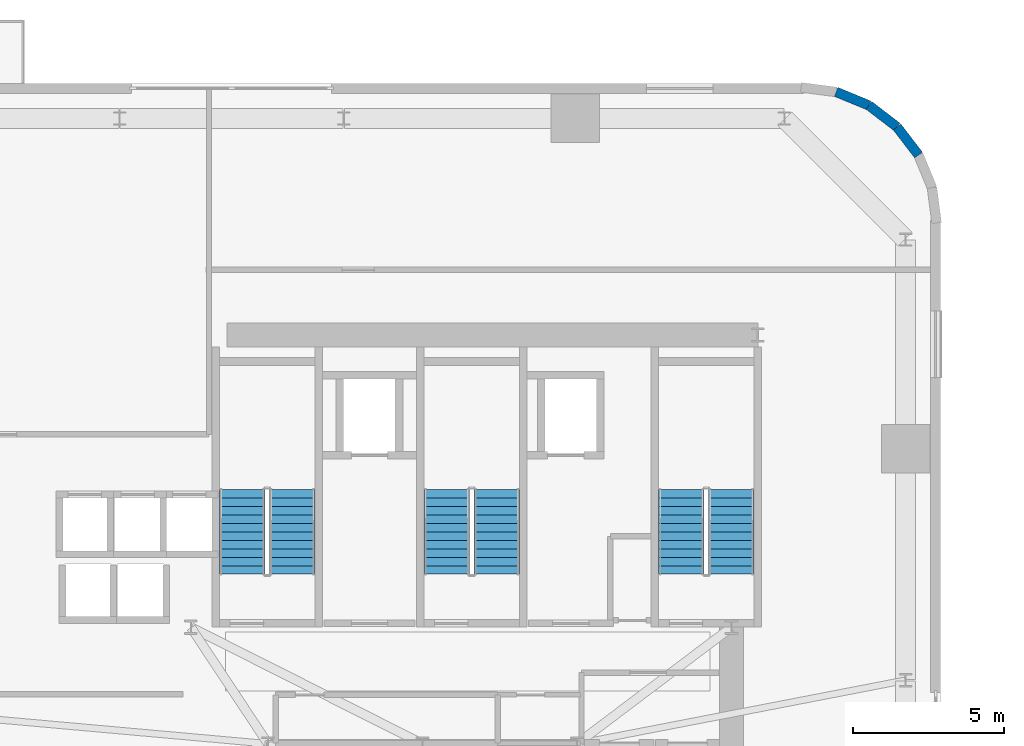
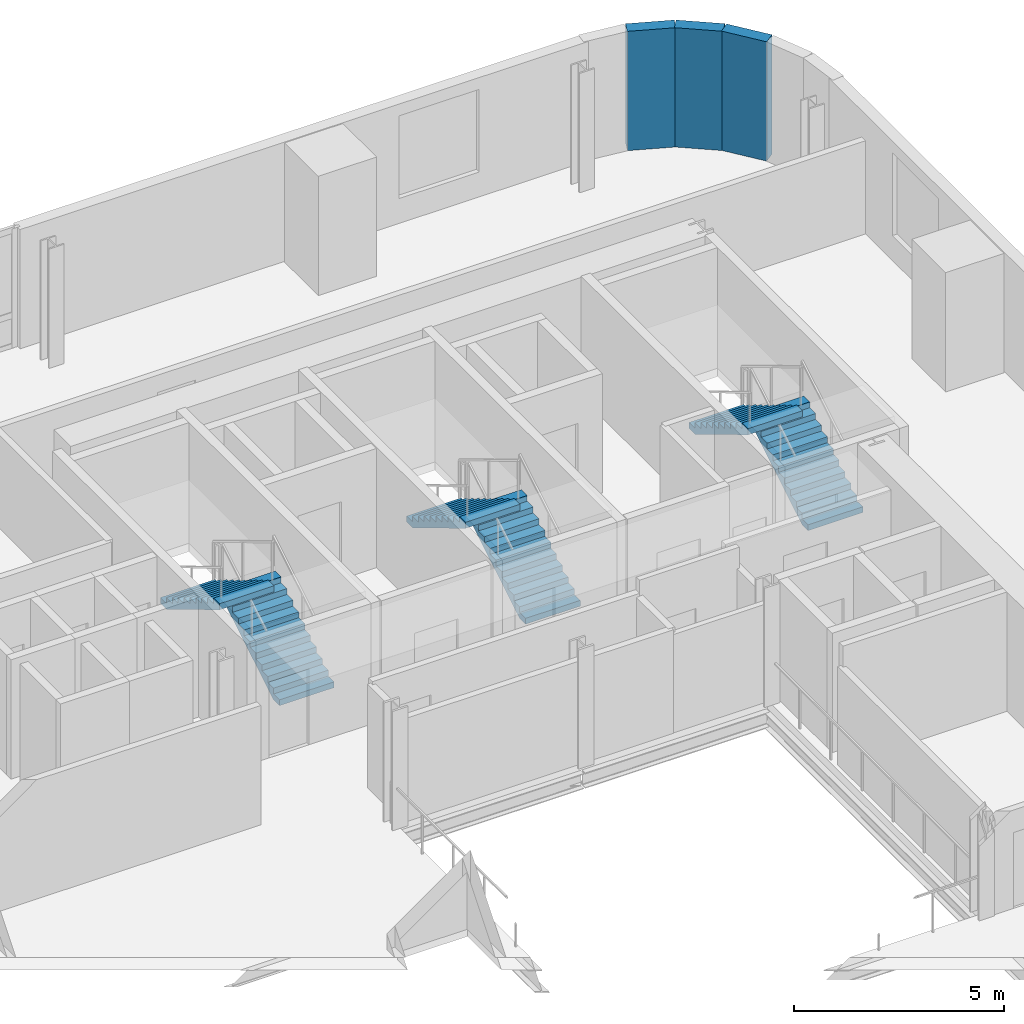
# One storey, part 9 of 14: 6 stair flights, 3 walls, 3 elements without a shape of their own.
"""IFC4 building model written with IfcOpenShell, lengths in metres."""

from ifc_helpers import new_model, si_unit, direction, frame, frame_2d, origin, place, context, subcontext, project, spatial, polyline, rectangle, outline, extrude, source, transform, mapped, material, layer, layer_set, type_object, element, aggregate, save


model = new_model("IFC4")

# Units and contexts
model_context = context("Model", 3, precision=1e-05, world=origin(), true_north=direction((0.0, 1.0)))
body_context = subcontext(model_context, "Body", "Model", "MODEL_VIEW")
ifc_project = project(units=[si_unit("LENGTHUNIT", "METRE"), si_unit("AREAUNIT", "SQUARE_METRE"), si_unit("VOLUMEUNIT", "CUBIC_METRE"), si_unit("PLANEANGLEUNIT", "RADIAN"), si_unit("MASSUNIT", "GRAM", prefix="KILO")], contexts=[model_context])

# Site, building, storey
site_placement = place(None, origin())
site = spatial("IfcSite", under=ifc_project, at=site_placement, CompositionType="ELEMENT")
building_placement = place(site_placement, origin())
building = spatial("IfcBuilding", under=site, at=building_placement, Name="Vardaveli Station Tower", CompositionType="ELEMENT")
storey_placement = place(building_placement, frame((0.0, 0.0, 129.800048828125)))
storey = spatial("IfcBuildingStorey", under=building, at=storey_placement, Name="L33", CompositionType="ELEMENT", Elevation=129.800048828125)

# Walls
ifc_material_1 = material(Name="Precast concrete C45/55", Category="concrete")
ifc_layer = layer(ifc_material_1, 0.320068359375, Name="Precast concrete C45/55")
ifc_layer_set = layer_set([ifc_layer], Name="Precast concrete C45/55")
wall_type = type_object("IfcWallType", Name="WAL-EXT-STONE-320", PredefinedType="SOLIDWALL", material=ifc_layer_set)
shared_shape_1 = source(origin(), body_context, "Body", "SweptSolid", [
    extrude(rectangle(XDim=1.1689453125, YDim=0.320068359375, at=frame_2d((0.58447265625, 0.0))), origin(), (0.0, 0.0, 1.0), 3.4599609375),
])
wall_1_placement = place(storey_placement, frame((52.679931640625, 46.2412109375, 0.0), z_axis=(0.0, 0.0, 1.0), x_axis=(-0.608387696831, 0.793639975269, 0.0)))
element("IfcWall", 1, at=wall_1_placement, inside=storey, type_object=wall_type, Name="EW-L33-CR3-3", PredefinedType="SOLIDWALL", context=body_context, shape_type="MappedRepresentation", body=[
    mapped(shared_shape_1, transform((0.0, 0.0, 0.0), scale=1.0)),
])
shared_shape_2 = source(origin(), body_context, "Body", "SweptSolid", [
    extrude(rectangle(XDim=1.168701171875, YDim=0.320068359375, at=frame_2d((0.58447265625, 0.0))), origin(), (0.0, 0.0, 1.0), 3.4599609375),
])
wall_2_placement = place(storey_placement, frame((51.96875, 47.1689453125, 0.0), z_axis=(0.0, 0.0, 1.0), x_axis=(-0.793663520347, 0.608356981114, 0.0)))
element("IfcWall", 2, at=wall_2_placement, inside=storey, type_object=wall_type, Name="EW-L33-CR3-4", PredefinedType="SOLIDWALL", context=body_context, shape_type="MappedRepresentation", body=[
    mapped(shared_shape_2, transform((0.0, 0.0, 0.0), scale=1.0)),
])
shared_shape_3 = source(origin(), body_context, "Body", "SweptSolid", [
    extrude(rectangle(XDim=1.169189453125, YDim=0.320068359375, at=frame_2d((0.58447265625, 0.0))), origin(), (0.0, 0.0, 1.0), 3.4599609375),
])
wall_3_placement = place(storey_placement, frame((51.041259765625, 47.8798828125, 0.0), z_axis=(0.0, 0.0, 1.0), x_axis=(-0.924552646638, 0.381054331552, 0.0)))
element("IfcWall", 3, at=wall_3_placement, inside=storey, type_object=wall_type, Name="EW-L33-CR3-5", PredefinedType="SOLIDWALL", context=body_context, shape_type="MappedRepresentation", body=[
    mapped(shared_shape_3, transform((0.0, 0.0, 0.0), scale=1.0)),
])

# Stair, stair flights
ifc_material_2 = material(Name="Concrete C40/50", Category="concrete")
stair_type = type_object("IfcStairType", Name="STR-CORE-1500", PredefinedType="HALF_TURN_STAIR", material=ifc_material_2)
stair_1_placement = place(storey_placement, origin())
stair_1 = element("IfcStair", 4, at=stair_1_placement, inside=storey, type_object=stair_type, Name="L33 ST-1", PredefinedType="HALF_TURN_STAIR")
stair_flight_type = type_object("IfcStairFlightType", Name="SFL-CORE-1500", PredefinedType="STRAIGHT", material=ifc_material_2)
shared_shape_4 = source(origin(), body_context, "Body", "SweptSolid", [
    extrude(outline(polyline([(0.0, 0.0), (0.0, 0.168212890625), (0.280029296875, 0.168212890625), (0.280029296875, 0.33642578125), (0.56005859375, 0.33642578125), (0.56005859375, 0.504638671875), (0.840087890625, 0.504638671875), (0.840087890625, 0.672607421875), (1.1201171875, 0.672607421875), (1.1201171875, 0.8408203125), (1.39990234375, 0.8408203125), (1.39990234375, 1.009033203125), (1.679931640625, 1.009033203125), (1.679931640625, 1.17724609375), (1.9599609375, 1.17724609375), (1.9599609375, 1.345458984375), (2.239990234375, 1.345458984375), (2.239990234375, 1.513671875), (2.52001953125, 1.513671875), (2.52001953125, 1.681884765625), (2.800048828125, 1.681884765625), (2.800048828125, 1.85009765625), (2.800048828125, 1.5068359375), (0.291015625, 0.0), (0.0, 0.0)])), frame((0.0, 0.75, 0.0), z_axis=(0.0, -1.0, 0.0), x_axis=(1.0, 0.0, 0.0)), (0.0, 0.0, 1.0), 1.5),
])
stair_flight_1_placement = place(storey_placement, frame((32.0, 32.39990234375, 0.0), z_axis=(0.0, 0.0, 1.0), x_axis=(0.0, 1.0, 0.0)))
stair_flight_1 = element("IfcStairFlight", 5, at=stair_flight_1_placement, type_object=stair_flight_type, Name="ST-1 flight 1", NumberOfRisers=11, NumberOfTreads=10, PredefinedType="STRAIGHT", RiserHeight=0.168181818, TreadLength=0.28, context=body_context, shape_type="MappedRepresentation", body=[
    mapped(shared_shape_4, transform((0.0, 0.0, 0.0), scale=1.0)),
])
stair_flight_2_placement = place(storey_placement, frame((30.35009765625, 35.199951171875, 1.849853515625), z_axis=(0.0, 0.0, 1.0), x_axis=(0.0, -1.0, 0.0)))
stair_flight_2 = element("IfcStairFlight", 6, at=stair_flight_2_placement, type_object=stair_flight_type, Name="ST-1 flight 2", NumberOfRisers=11, NumberOfTreads=10, PredefinedType="STRAIGHT", RiserHeight=0.168181818, TreadLength=0.28, context=body_context, shape_type="MappedRepresentation", body=[
    mapped(shared_shape_4, transform((0.0, 0.0, 0.0), scale=1.0)),
])
aggregate(stair_1, [stair_flight_1, stair_flight_2])

stair_2_placement = place(storey_placement, origin())
stair_2 = element("IfcStair", 7, at=stair_2_placement, inside=storey, type_object=stair_type, Name="L33 ST-2", PredefinedType="HALF_TURN_STAIR")
stair_flight_3_placement = place(storey_placement, frame((38.75, 32.39990234375, 0.0), z_axis=(0.0, 0.0, 1.0), x_axis=(0.0, 1.0, 0.0)))
stair_flight_3 = element("IfcStairFlight", 8, at=stair_flight_3_placement, type_object=stair_flight_type, Name="ST-2 flight 1", NumberOfRisers=11, NumberOfTreads=10, PredefinedType="STRAIGHT", RiserHeight=0.168181818, TreadLength=0.28, context=body_context, shape_type="MappedRepresentation", body=[
    mapped(shared_shape_4, transform((0.0, 0.0, 0.0), scale=1.0)),
])
stair_flight_4_placement = place(storey_placement, frame((37.10009765625, 35.199951171875, 1.849853515625), z_axis=(0.0, 0.0, 1.0), x_axis=(0.0, -1.0, 0.0)))
stair_flight_4 = element("IfcStairFlight", 9, at=stair_flight_4_placement, type_object=stair_flight_type, Name="ST-2 flight 2", NumberOfRisers=11, NumberOfTreads=10, PredefinedType="STRAIGHT", RiserHeight=0.168181818, TreadLength=0.28, context=body_context, shape_type="MappedRepresentation", body=[
    mapped(shared_shape_4, transform((0.0, 0.0, 0.0), scale=1.0)),
])
aggregate(stair_2, [stair_flight_3, stair_flight_4])

stair_3_placement = place(storey_placement, origin())
stair_3 = element("IfcStair", 10, at=stair_3_placement, inside=storey, type_object=stair_type, Name="L33 ST-3", PredefinedType="HALF_TURN_STAIR")
stair_flight_5_placement = place(storey_placement, frame((46.5, 32.39990234375, 0.0), z_axis=(0.0, 0.0, 1.0), x_axis=(0.0, 1.0, 0.0)))
stair_flight_5 = element("IfcStairFlight", 11, at=stair_flight_5_placement, type_object=stair_flight_type, Name="ST-3 flight 1", NumberOfRisers=11, NumberOfTreads=10, PredefinedType="STRAIGHT", RiserHeight=0.168181818, TreadLength=0.28, context=body_context, shape_type="MappedRepresentation", body=[
    mapped(shared_shape_4, transform((0.0, 0.0, 0.0), scale=1.0)),
])
stair_flight_6_placement = place(storey_placement, frame((44.85009765625, 35.199951171875, 1.849853515625), z_axis=(0.0, 0.0, 1.0), x_axis=(0.0, -1.0, 0.0)))
stair_flight_6 = element("IfcStairFlight", 12, at=stair_flight_6_placement, type_object=stair_flight_type, Name="ST-3 flight 2", NumberOfRisers=11, NumberOfTreads=10, PredefinedType="STRAIGHT", RiserHeight=0.168181818, TreadLength=0.28, context=body_context, shape_type="MappedRepresentation", body=[
    mapped(shared_shape_4, transform((0.0, 0.0, 0.0), scale=1.0)),
])
aggregate(stair_3, [stair_flight_5, stair_flight_6])

save(model, "model.ifc")
